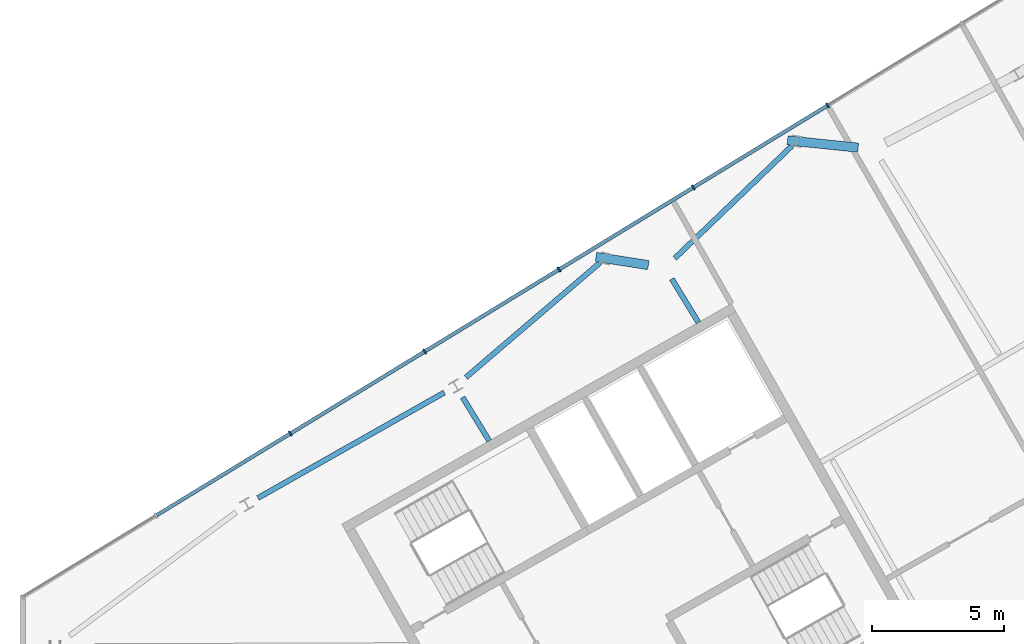
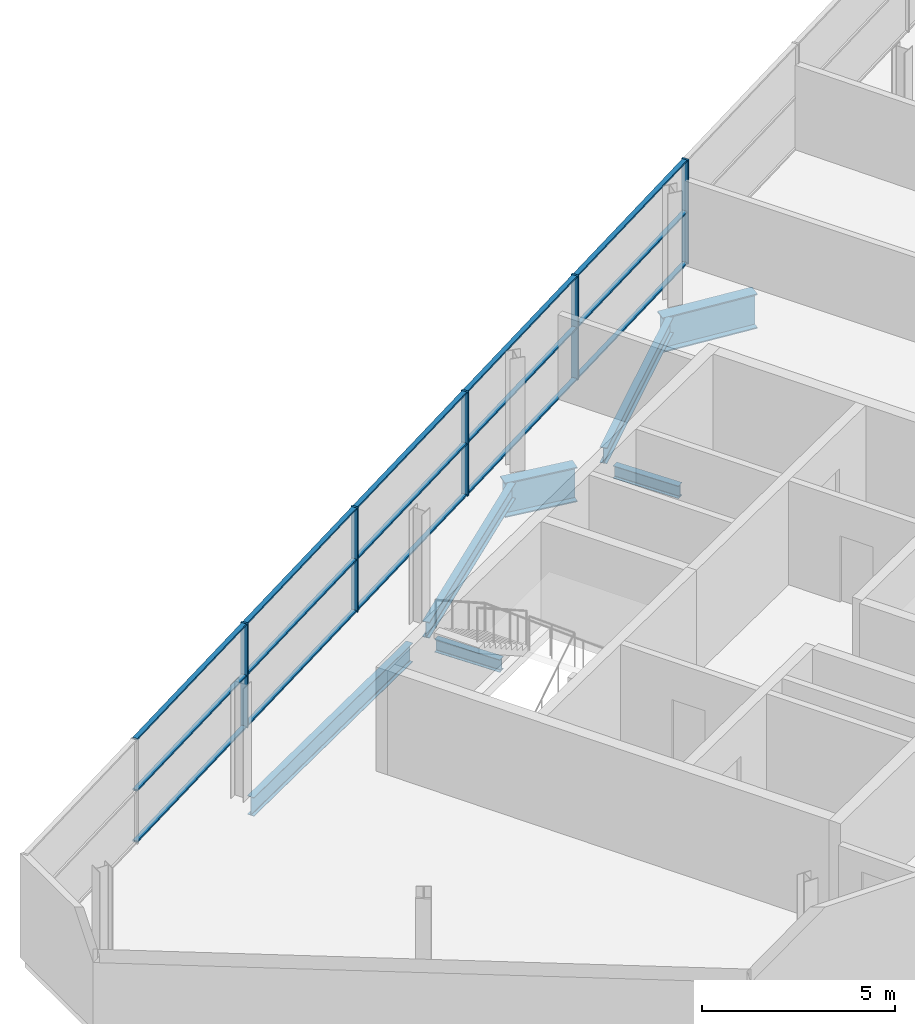
# One storey, part 4 of 10: 20 members, 7 beams, 1 element without a shape of its own.
"""IFC4 building model written with IfcOpenShell, lengths in metres."""

import ifcopenshell
import ifcopenshell.guid

model = None  # the IFC model being written
_history = None  # IfcOwnerHistory: only IFC2X3 demands one
_inside = {}  # id of a spatial element -> (the spatial element, [elements in it])
_under = {}  # id of a project, library or spatial element -> (it, [spatial elements below it])
_declared = {}  # id of a project -> (the project, [libraries it declares])
_typed = {}  # id of a type object -> (the type object, [elements of that type])
_made_of = {}  # id of a material, layer set ... -> (it, [elements and type objects made of it])


def new_model(schema):
    """Start an empty IFC model of exactly this schema.

    Asked for "IFC4X3", IfcOpenShell would pick the latest addendum, in which some entities
    have other attributes; the version numbers below select the first issue.
    IFC2X3 requires an IfcOwnerHistory on every rooted entity: one is made here for all.
    """
    global model, _history
    if schema == "IFC4X3":
        model = ifcopenshell.file(schema_version=(4, 3, 0, 0))
    else:
        model = ifcopenshell.file(schema=schema)
    _inside.clear()
    _under.clear()
    _declared.clear()
    _typed.clear()
    _made_of.clear()
    _history = None
    if model.schema == "IFC2X3":
        org = make("IfcOrganization", Name="unknown")
        user = make(
            "IfcPersonAndOrganization",
            ThePerson=make("IfcPerson", FamilyName="unknown"),
            TheOrganization=org,
        )
        app = make(
            "IfcApplication",
            ApplicationDeveloper=org,
            Version="unknown",
            ApplicationFullName="unknown",
            ApplicationIdentifier="unknown",
        )
        _history = make(
            "IfcOwnerHistory",
            OwningUser=user,
            OwningApplication=app,
            ChangeAction="ADDED",
            CreationDate=0,
        )
    return model


def make(cls, **values):
    """One entity of the class cls with the attributes given. An attribute that is None is left unset."""
    return model.create_entity(
        cls, **{name: value for name, value in values.items() if value is not None}
    )


def rooted(cls, **values):
    """An entity with a GlobalId (a new one), such as an element, a storey or a relation."""
    return make(cls, GlobalId=ifcopenshell.guid.new(), OwnerHistory=_history, **values)


def si_unit(unit_type, name, prefix=None):
    """IfcSIUnit, for example si_unit("LENGTHUNIT", "METRE", prefix="MILLI")."""
    return make("IfcSIUnit", UnitType=unit_type, Prefix=prefix, Name=name)


def assignment(units):
    """IfcUnitAssignment: the units of a project."""
    return None if units is None else make("IfcUnitAssignment", Units=units)


def point(xyz):
    """IfcCartesianPoint."""
    return None if xyz is None else make("IfcCartesianPoint", Coordinates=xyz)


def direction(xyz):
    """IfcDirection."""
    return None if xyz is None else make("IfcDirection", DirectionRatios=xyz)


def frame(location, z_axis=None, x_axis=None):
    """IfcAxis2Placement3D, a coordinate frame: its origin and axes. An axis left out is left unset."""
    return make(
        "IfcAxis2Placement3D",
        Location=point(location),
        Axis=direction(z_axis),
        RefDirection=direction(x_axis),
    )


def frame_2d(location, x_axis=None):
    """IfcAxis2Placement2D, a coordinate frame in the plane: its origin and x axis."""
    return make(
        "IfcAxis2Placement2D", Location=point(location), RefDirection=direction(x_axis)
    )


def origin():
    """The frame at (0, 0, 0) with its axes left unset."""
    return frame((0.0, 0.0, 0.0))


def origin_2d():
    """The frame at (0, 0) in the plane with its x axis left unset."""
    return frame_2d((0.0, 0.0))


def place(relative_to, where):
    """IfcLocalPlacement: puts the frame where relative to a parent placement (None: the world)."""
    return make(
        "IfcLocalPlacement", PlacementRelTo=relative_to, RelativePlacement=where
    )


def context(
    kind, dimensions, precision=None, world=None, true_north=None, identifier=None
):
    """IfcGeometricRepresentationContext, for example the 3D "Model" context."""
    return make(
        "IfcGeometricRepresentationContext",
        ContextIdentifier=identifier,
        ContextType=kind,
        CoordinateSpaceDimension=dimensions,
        Precision=precision,
        WorldCoordinateSystem=world,
        TrueNorth=true_north,
    )


def subcontext(parent, identifier, kind, view, scale=None):
    """IfcGeometricRepresentationSubContext, for example "Body" below "Model"."""
    return make(
        "IfcGeometricRepresentationSubContext",
        ContextIdentifier=identifier,
        ContextType=kind,
        ParentContext=parent,
        TargetScale=scale,
        TargetView=view,
    )


def project(units=None, contexts=None):
    """IfcProject with its units and contexts."""
    return rooted(
        "IfcProject",
        Name="project",
        RepresentationContexts=contexts,
        UnitsInContext=assignment(units),
    )


def spatial(cls, under=None, at=None, **own):
    """A site, building, storey or space (cls), placed at a placement, below another one or the project."""
    s = rooted(cls, ObjectPlacement=at, **own)
    if under is not None:
        _under.setdefault(under.id(), (under, []))[1].append(s)
    return s


def profile(cls, at=None, kind="AREA", **sizes):
    """A parametric profile (cls). Its sizes go by their IFC names, for example OverallWidth=200.0."""
    return make(cls, ProfileType=kind, Position=at, **sizes)


def rectangle(**sizes):
    """IfcRectangleProfileDef."""
    return profile("IfcRectangleProfileDef", **sizes)


def i_section(**sizes):
    """IfcIShapeProfileDef."""
    return profile("IfcIShapeProfileDef", **sizes)


def extrude(swept, where, along, depth):
    """IfcExtrudedAreaSolid: the profile swept, set in the frame where, extruded along a direction by depth."""
    return make(
        "IfcExtrudedAreaSolid",
        SweptArea=swept,
        Position=where,
        ExtrudedDirection=direction(along),
        Depth=depth,
    )


def shape(context_of_items, identifier, shape_type, items):
    """IfcShapeRepresentation: the items that make up one representation, for example the "Body"."""
    return make(
        "IfcShapeRepresentation",
        ContextOfItems=context_of_items,
        RepresentationIdentifier=identifier,
        RepresentationType=shape_type,
        Items=items,
    )


def material(Name=None, Category=None):
    """IfcMaterial."""
    return make("IfcMaterial", Name=Name, Category=Category)


def material_profile(
    of_material, cross_section, Name=None, Category=None, Priority=None
):
    """IfcMaterialProfile: a cross section and its material."""
    return make(
        "IfcMaterialProfile",
        Name=Name,
        Material=of_material,
        Profile=cross_section,
        Priority=Priority,
        Category=Category,
    )


def profile_set(profiles, Name=None, composite=None):
    """IfcMaterialProfileSet."""
    return make(
        "IfcMaterialProfileSet",
        Name=Name,
        MaterialProfiles=profiles,
        CompositeProfile=composite,
    )


def made_of(thing, what):
    """Note that an element or type object is made of a material, layer set ...; save() writes the relation."""
    if what is not None:
        _made_of.setdefault(what.id(), (what, []))[1].append(thing)
    return thing


def type_object(cls, material=None, **own):
    """A type object (cls), such as IfcWallType, which elements share."""
    return made_of(rooted(cls, **own), material)


def element(
    cls,
    number,
    at=None,
    inside=None,
    cuts=None,
    type_object=None,
    material=None,
    context=None,
    identifier="Body",
    shape_type=None,
    held_by="IfcProductDefinitionShape",
    body=None,
    shapes=None,
    **own,
):
    """One element of the class cls, such as IfcWall. Its Tag is "e" and its number.

    at: its placement. inside: the storey or other place that contains it. cuts: it is an
    opening in that element (IfcRelVoidsElement). A single representation is given by context,
    identifier, shape_type and body (its items); several are given by shapes. held_by: the class
    of the entity that holds the representations. save() writes the other relations.
    """
    e = rooted(cls, Tag="e%d" % number, ObjectPlacement=at, **own)
    if body is not None:
        shapes = [shape(context, identifier, shape_type, body)]
    if shapes is not None:
        e.Representation = make(held_by, Representations=shapes)
    if inside is not None:
        _inside.setdefault(inside.id(), (inside, []))[1].append(e)
    if cuts is not None:
        rooted(
            "IfcRelVoidsElement", RelatingBuildingElement=cuts, RelatedOpeningElement=e
        )
    if type_object is not None:
        _typed.setdefault(type_object.id(), (type_object, []))[1].append(e)
    return made_of(e, material)


def aggregate(whole, parts):
    """IfcRelAggregates: a whole, such as a stair, and the parts it consists of."""
    return rooted("IfcRelAggregates", RelatingObject=whole, RelatedObjects=parts)


def save(model, path):
    """Write the relations noted so far, then the file.

    IfcRelAggregates (storeys below a building ...), IfcRelContainedInSpatialStructure (elements
    in a storey), IfcRelDefinesByType, IfcRelAssociatesMaterial and IfcRelDeclares: one each for
    every whole, place, type object, material and project.
    """
    for whole, parts in _under.values():
        aggregate(whole, parts)
    for where, things in _inside.values():
        rooted(
            "IfcRelContainedInSpatialStructure",
            RelatedElements=things,
            RelatingStructure=where,
        )
    for kind, things in _typed.values():
        rooted("IfcRelDefinesByType", RelatedObjects=things, RelatingType=kind)
    for what, things in _made_of.values():
        rooted("IfcRelAssociatesMaterial", RelatedObjects=things, RelatingMaterial=what)
    for by, libraries in _declared.values():
        rooted("IfcRelDeclares", RelatingContext=by, RelatedDefinitions=libraries)
    model.write(path)


model = new_model("IFC4")

# Units and contexts
model_context = context("Model", 3, precision=1e-05, world=origin(), true_north=direction((0.0, 1.0)))
body_context = subcontext(model_context, "Body", "Model", "MODEL_VIEW")
ifc_project = project(units=[si_unit("LENGTHUNIT", "METRE"), si_unit("AREAUNIT", "SQUARE_METRE"), si_unit("VOLUMEUNIT", "CUBIC_METRE"), si_unit("PLANEANGLEUNIT", "RADIAN"), si_unit("MASSUNIT", "GRAM", prefix="KILO")], contexts=[model_context])

# Site, building, storey
site_placement = place(None, origin())
site = spatial("IfcSite", under=ifc_project, at=site_placement, CompositionType="ELEMENT")
building_placement = place(site_placement, origin())
building = spatial("IfcBuilding", under=site, at=building_placement, Name="Binnacle Exchange Tower", CompositionType="ELEMENT")
storey_placement = place(building_placement, frame((0.0, 0.0, 346.89990234375)))
storey = spatial("IfcBuildingStorey", under=building, at=storey_placement, Name="L79", CompositionType="ELEMENT", Elevation=346.89990234375)

# Curtain wall, members
ifc_material_1 = material(Name="Bronze anodised aluminium frame", Category="aluminium")
curtain_wall_type = type_object("IfcCurtainWallType", Name="External wall - curtain wall crown tiers", PredefinedType="NOTDEFINED", material=ifc_material_1)
curtain_wall_placement = place(storey_placement, origin())
curtain_wall = element("IfcCurtainWall", 1, at=curtain_wall_placement, inside=storey, type_object=curtain_wall_type, Name="External wall curtain wall CW5-C103 L79", PredefinedType="NOTDEFINED")
ifc_material_profile_1 = material_profile(ifc_material_1, rectangle(XDim=0.199951171875, YDim=0.06005859375, at=origin_2d()), Name="AL 60x200")
ifc_profile_set_1 = profile_set([ifc_material_profile_1], Name="Bronze anodised aluminium frame")
member_type_1 = type_object("IfcMemberType", Name="CW5 MULLION 60x200", PredefinedType="MULLION", material=ifc_profile_set_1)
member_1_placement = place(storey_placement, frame((-28.15478515625, 57.57666015625, 0.0), z_axis=(0.0, 0.0, 1.0), x_axis=(0.521156922554, -0.853460873194, 0.0)))
member_1 = element("IfcMember", 2, at=member_1_placement, type_object=member_type_1, Name="CW5-C103 mullion 5", PredefinedType="MULLION", context=body_context, shape_type="SweptSolid", body=[
    extrude(rectangle(XDim=0.199951171875, YDim=0.06005859375, at=origin_2d()), origin(), (0.0, 0.0, 1.0), 3.300048828125),
])
member_2_placement = place(storey_placement, frame((-33.25634765625, 54.46142578125, 0.0), z_axis=(0.0, 0.0, 1.0), x_axis=(0.521156922554, -0.853460873194, 0.0)))
member_2 = element("IfcMember", 3, at=member_2_placement, type_object=member_type_1, Name="CW5-C103 mullion 6", PredefinedType="MULLION", context=body_context, shape_type="SweptSolid", body=[
    extrude(rectangle(XDim=0.199951171875, YDim=0.06005859375, at=origin_2d()), origin(), (0.0, 0.0, 1.0), 3.300048828125),
])
member_3_placement = place(storey_placement, frame((-38.35791015625, 51.34619140625, 0.0), z_axis=(0.0, 0.0, 1.0), x_axis=(0.521156922554, -0.853460873194, 0.0)))
member_3 = element("IfcMember", 4, at=member_3_placement, type_object=member_type_1, Name="CW5-C103 mullion 7", PredefinedType="MULLION", context=body_context, shape_type="SweptSolid", body=[
    extrude(rectangle(XDim=0.199951171875, YDim=0.06005859375, at=origin_2d()), origin(), (0.0, 0.0, 1.0), 3.300048828125),
])
member_4_placement = place(storey_placement, frame((-43.45947265625, 48.23095703125, 0.0), z_axis=(0.0, 0.0, 1.0), x_axis=(0.521156922554, -0.853460873194, 0.0)))
member_4 = element("IfcMember", 5, at=member_4_placement, type_object=member_type_1, Name="CW5-C103 mullion 8", PredefinedType="MULLION", context=body_context, shape_type="SweptSolid", body=[
    extrude(rectangle(XDim=0.199951171875, YDim=0.06005859375, at=origin_2d()), origin(), (0.0, 0.0, 1.0), 3.300048828125),
])
member_5_placement = place(storey_placement, frame((-48.56103515625, 45.11572265625, 0.0), z_axis=(0.0, 0.0, 1.0), x_axis=(0.521156922554, -0.853460873194, 0.0)))
member_5 = element("IfcMember", 6, at=member_5_placement, type_object=member_type_1, Name="CW5-C103 mullion 9", PredefinedType="MULLION", context=body_context, shape_type="SweptSolid", body=[
    extrude(rectangle(XDim=0.199951171875, YDim=0.06005859375, at=origin_2d()), origin(), (0.0, 0.0, 1.0), 3.300048828125),
])
ifc_material_profile_2 = material_profile(ifc_material_1, rectangle(XDim=0.139892578125, YDim=0.050048828125, at=origin_2d()), Name="AL 140x50")
ifc_profile_set_2 = profile_set([ifc_material_profile_2], Name="Bronze anodised aluminium frame")
member_type_2 = type_object("IfcMemberType", Name="CW5 TRANSOM 50x140", PredefinedType="USERDEFINED", material=ifc_profile_set_2)
member_6_placement = place(storey_placement, frame((-28.180419921875, 57.56103515625, 0.025146484375), z_axis=(-0.853455161213, -0.521166276537, 0.0), x_axis=(0.521166276537, -0.853455161213, 0.0)))
member_6 = element("IfcMember", 7, at=member_6_placement, type_object=member_type_2, Name="CW5-C103 transom 5.1", ObjectType="TRANSOM", PredefinedType="USERDEFINED", context=body_context, shape_type="SweptSolid", body=[
    extrude(rectangle(XDim=0.139892578125, YDim=0.050048828125, at=origin_2d()), origin(), (0.0, 0.0, 1.0), 5.91748046875),
])
member_7_placement = place(storey_placement, frame((-28.180419921875, 57.56103515625, 1.650146484375), z_axis=(-0.853455161213, -0.521166276537, 0.0), x_axis=(0.521166276537, -0.853455161213, 0.0)))
member_7 = element("IfcMember", 8, at=member_7_placement, type_object=member_type_2, Name="CW5-C103 transom 5.2", ObjectType="TRANSOM", PredefinedType="USERDEFINED", context=body_context, shape_type="SweptSolid", body=[
    extrude(rectangle(XDim=0.139892578125, YDim=0.050048828125, at=origin_2d()), origin(), (0.0, 0.0, 1.0), 5.91748046875),
])
member_8_placement = place(storey_placement, frame((-28.180419921875, 57.56103515625, 3.275146484375), z_axis=(-0.853455161213, -0.521166276537, 0.0), x_axis=(0.521166276537, -0.853455161213, 0.0)))
member_8 = element("IfcMember", 9, at=member_8_placement, type_object=member_type_2, Name="CW5-C103 transom 5.3", ObjectType="TRANSOM", PredefinedType="USERDEFINED", context=body_context, shape_type="SweptSolid", body=[
    extrude(rectangle(XDim=0.139892578125, YDim=0.050048828125, at=origin_2d()), origin(), (0.0, 0.0, 1.0), 5.91748046875),
])
member_9_placement = place(storey_placement, frame((-33.281982421875, 54.44580078125, 0.025146484375), z_axis=(-0.853455161213, -0.521166276537, 0.0), x_axis=(0.521166276537, -0.853455161213, 0.0)))
member_9 = element("IfcMember", 10, at=member_9_placement, type_object=member_type_2, Name="CW5-C103 transom 6.1", ObjectType="TRANSOM", PredefinedType="USERDEFINED", context=body_context, shape_type="SweptSolid", body=[
    extrude(rectangle(XDim=0.139892578125, YDim=0.050048828125, at=origin_2d()), origin(), (0.0, 0.0, 1.0), 5.91748046875),
])
member_10_placement = place(storey_placement, frame((-33.281982421875, 54.44580078125, 1.650146484375), z_axis=(-0.853455161213, -0.521166276537, 0.0), x_axis=(0.521166276537, -0.853455161213, 0.0)))
member_10 = element("IfcMember", 11, at=member_10_placement, type_object=member_type_2, Name="CW5-C103 transom 6.2", ObjectType="TRANSOM", PredefinedType="USERDEFINED", context=body_context, shape_type="SweptSolid", body=[
    extrude(rectangle(XDim=0.139892578125, YDim=0.050048828125, at=origin_2d()), origin(), (0.0, 0.0, 1.0), 5.91748046875),
])
member_11_placement = place(storey_placement, frame((-33.281982421875, 54.44580078125, 3.275146484375), z_axis=(-0.853455161213, -0.521166276537, 0.0), x_axis=(0.521166276537, -0.853455161213, 0.0)))
member_11 = element("IfcMember", 12, at=member_11_placement, type_object=member_type_2, Name="CW5-C103 transom 6.3", ObjectType="TRANSOM", PredefinedType="USERDEFINED", context=body_context, shape_type="SweptSolid", body=[
    extrude(rectangle(XDim=0.139892578125, YDim=0.050048828125, at=origin_2d()), origin(), (0.0, 0.0, 1.0), 5.91748046875),
])
member_12_placement = place(storey_placement, frame((-38.383544921875, 51.33056640625, 0.025146484375), z_axis=(-0.853455161213, -0.521166276537, 0.0), x_axis=(0.521166276537, -0.853455161213, 0.0)))
member_12 = element("IfcMember", 13, at=member_12_placement, type_object=member_type_2, Name="CW5-C103 transom 7.1", ObjectType="TRANSOM", PredefinedType="USERDEFINED", context=body_context, shape_type="SweptSolid", body=[
    extrude(rectangle(XDim=0.139892578125, YDim=0.050048828125, at=origin_2d()), origin(), (0.0, 0.0, 1.0), 5.91748046875),
])
member_13_placement = place(storey_placement, frame((-38.383544921875, 51.33056640625, 1.650146484375), z_axis=(-0.853455161213, -0.521166276537, 0.0), x_axis=(0.521166276537, -0.853455161213, 0.0)))
member_13 = element("IfcMember", 14, at=member_13_placement, type_object=member_type_2, Name="CW5-C103 transom 7.2", ObjectType="TRANSOM", PredefinedType="USERDEFINED", context=body_context, shape_type="SweptSolid", body=[
    extrude(rectangle(XDim=0.139892578125, YDim=0.050048828125, at=origin_2d()), origin(), (0.0, 0.0, 1.0), 5.91748046875),
])
member_14_placement = place(storey_placement, frame((-38.383544921875, 51.33056640625, 3.275146484375), z_axis=(-0.853455161213, -0.521166276537, 0.0), x_axis=(0.521166276537, -0.853455161213, 0.0)))
member_14 = element("IfcMember", 15, at=member_14_placement, type_object=member_type_2, Name="CW5-C103 transom 7.3", ObjectType="TRANSOM", PredefinedType="USERDEFINED", context=body_context, shape_type="SweptSolid", body=[
    extrude(rectangle(XDim=0.139892578125, YDim=0.050048828125, at=origin_2d()), origin(), (0.0, 0.0, 1.0), 5.91748046875),
])
member_15_placement = place(storey_placement, frame((-43.485107421875, 48.21533203125, 0.025146484375), z_axis=(-0.853455161213, -0.521166276537, 0.0), x_axis=(0.521166276537, -0.853455161213, 0.0)))
member_15 = element("IfcMember", 16, at=member_15_placement, type_object=member_type_2, Name="CW5-C103 transom 8.1", ObjectType="TRANSOM", PredefinedType="USERDEFINED", context=body_context, shape_type="SweptSolid", body=[
    extrude(rectangle(XDim=0.139892578125, YDim=0.050048828125, at=origin_2d()), origin(), (0.0, 0.0, 1.0), 5.91748046875),
])
member_16_placement = place(storey_placement, frame((-43.485107421875, 48.21533203125, 1.650146484375), z_axis=(-0.853455161213, -0.521166276537, 0.0), x_axis=(0.521166276537, -0.853455161213, 0.0)))
member_16 = element("IfcMember", 17, at=member_16_placement, type_object=member_type_2, Name="CW5-C103 transom 8.2", ObjectType="TRANSOM", PredefinedType="USERDEFINED", context=body_context, shape_type="SweptSolid", body=[
    extrude(rectangle(XDim=0.139892578125, YDim=0.050048828125, at=origin_2d()), origin(), (0.0, 0.0, 1.0), 5.91748046875),
])
member_17_placement = place(storey_placement, frame((-43.485107421875, 48.21533203125, 3.275146484375), z_axis=(-0.853455161213, -0.521166276537, 0.0), x_axis=(0.521166276537, -0.853455161213, 0.0)))
member_17 = element("IfcMember", 18, at=member_17_placement, type_object=member_type_2, Name="CW5-C103 transom 8.3", ObjectType="TRANSOM", PredefinedType="USERDEFINED", context=body_context, shape_type="SweptSolid", body=[
    extrude(rectangle(XDim=0.139892578125, YDim=0.050048828125, at=origin_2d()), origin(), (0.0, 0.0, 1.0), 5.91748046875),
])
member_18_placement = place(storey_placement, frame((-48.586669921875, 45.10009765625, 0.025146484375), z_axis=(-0.853455161213, -0.521166276537, 0.0), x_axis=(0.521166276537, -0.853455161213, 0.0)))
member_18 = element("IfcMember", 19, at=member_18_placement, type_object=member_type_2, Name="CW5-C103 transom 9.1", ObjectType="TRANSOM", PredefinedType="USERDEFINED", context=body_context, shape_type="SweptSolid", body=[
    extrude(rectangle(XDim=0.139892578125, YDim=0.050048828125, at=origin_2d()), origin(), (0.0, 0.0, 1.0), 5.91748046875),
])
member_19_placement = place(storey_placement, frame((-48.586669921875, 45.10009765625, 1.650146484375), z_axis=(-0.853455161213, -0.521166276537, 0.0), x_axis=(0.521166276537, -0.853455161213, 0.0)))
member_19 = element("IfcMember", 20, at=member_19_placement, type_object=member_type_2, Name="CW5-C103 transom 9.2", ObjectType="TRANSOM", PredefinedType="USERDEFINED", context=body_context, shape_type="SweptSolid", body=[
    extrude(rectangle(XDim=0.139892578125, YDim=0.050048828125, at=origin_2d()), origin(), (0.0, 0.0, 1.0), 5.91748046875),
])
member_20_placement = place(storey_placement, frame((-48.586669921875, 45.10009765625, 3.275146484375), z_axis=(-0.853455161213, -0.521166276537, 0.0), x_axis=(0.521166276537, -0.853455161213, 0.0)))
member_20 = element("IfcMember", 21, at=member_20_placement, type_object=member_type_2, Name="CW5-C103 transom 9.3", ObjectType="TRANSOM", PredefinedType="USERDEFINED", context=body_context, shape_type="SweptSolid", body=[
    extrude(rectangle(XDim=0.139892578125, YDim=0.050048828125, at=origin_2d()), origin(), (0.0, 0.0, 1.0), 5.91748046875),
])
aggregate(curtain_wall, [member_1, member_2, member_3, member_4, member_5, member_6, member_7, member_8, member_9, member_10, member_11, member_12, member_13, member_14, member_15, member_16, member_17, member_18, member_19, member_20])

# Beams
ifc_material_2 = material(Name="Steel S355 (SHN355)", Category="steel")
ifc_material_profile_3 = material_profile(ifc_material_2, i_section(OverallWidth=0.199951171875, OverallDepth=0.5, WebThickness=0.010009765625, FlangeThickness=0.01611328125, FilletRadius=0.02001953125, at=origin_2d()), Name="H 500x200x10x16")
ifc_profile_set_3 = profile_set([ifc_material_profile_3], Name="Steel S355 (SHN355)")
beam_type_1 = type_object("IfcBeamType", Name="Edge girder H 500x200x10x16 Steel S355 (SHN355)", PredefinedType="SPANDREL", material=ifc_profile_set_3)
beam_1_placement = place(storey_placement, frame((-33.96142578125, 51.771484375, -0.5498046875), z_axis=(0.721606478841, 0.692303466476, 0.0), x_axis=(-0.692303466476, 0.721606478841, 0.0)))
element("IfcBeam", 22, at=beam_1_placement, inside=storey, type_object=beam_type_1, Name="S:BM:edge:L79:016", PredefinedType="SPANDREL", context=body_context, shape_type="SweptSolid", body=[
    extrude(i_section(OverallWidth=0.199951171875, OverallDepth=0.5, WebThickness=0.010009765625, FlangeThickness=0.01611328125, FilletRadius=0.02001953125, at=origin_2d()), origin(), (0.0, 0.0, 1.0), 6.165283203125),
])
ifc_material_profile_4 = material_profile(ifc_material_2, i_section(OverallWidth=0.200927734375, OverallDepth=0.506103515625, WebThickness=0.010986328125, FlangeThickness=0.01904296875, FilletRadius=0.02001953125, at=origin_2d()), Name="H 506x201x11x19")
ifc_profile_set_4 = profile_set([ifc_material_profile_4], Name="Steel S355 (SHN355)")
beam_type_2 = type_object("IfcBeamType", Name="Edge girder H 506x201x11x19 Steel S355 (SHN355)", PredefinedType="SPANDREL", material=ifc_profile_set_4)
beam_2_placement = place(storey_placement, frame((-41.892822265625, 47.249755859375, -0.552978515625), z_axis=(0.759911815875, 0.650026178006, 0.0), x_axis=(-0.650026178006, 0.759911815875, 0.0)))
element("IfcBeam", 23, at=beam_2_placement, inside=storey, type_object=beam_type_2, Name="S:BM:edge:L79:015", PredefinedType="SPANDREL", context=body_context, shape_type="SweptSolid", body=[
    extrude(i_section(OverallWidth=0.200927734375, OverallDepth=0.506103515625, WebThickness=0.010986328125, FlangeThickness=0.01904296875, FilletRadius=0.02001953125, at=origin_2d()), origin(), (0.0, 0.0, 1.0), 6.703125),
])
ifc_material_profile_5 = material_profile(ifc_material_2, i_section(OverallWidth=0.199951171875, OverallDepth=0.60009765625, WebThickness=0.010986328125, FlangeThickness=0.01708984375, FilletRadius=0.02197265625, at=origin_2d()), Name="H 600x200x11x17")
ifc_profile_set_5 = profile_set([ifc_material_profile_5], Name="Steel S355 (SHN355)")
beam_type_3 = type_object("IfcBeamType", Name="Edge girder H 600x200x11x17 Steel S355 (SHN355)", PredefinedType="SPANDREL", material=ifc_profile_set_5)
beam_3_placement = place(storey_placement, frame((-49.791015625, 42.669189453125, -0.599853515625), z_axis=(0.870353024448, 0.49242828192, 0.0), x_axis=(-0.49242828192, 0.870353024448, 0.0)))
element("IfcBeam", 24, at=beam_3_placement, inside=storey, type_object=beam_type_3, Name="S:BM:edge:L79:013", PredefinedType="SPANDREL", context=body_context, shape_type="SweptSolid", body=[
    extrude(i_section(OverallWidth=0.199951171875, OverallDepth=0.60009765625, WebThickness=0.010986328125, FlangeThickness=0.01708984375, FilletRadius=0.02197265625, at=origin_2d()), origin(), (0.0, 0.0, 1.0), 8.1298828125),
])
ifc_material_profile_6 = material_profile(ifc_material_2, i_section(OverallWidth=0.199951171875, OverallDepth=0.39990234375, WebThickness=0.008056640625, FlangeThickness=0.012939453125, FilletRadius=0.01611328125, at=origin_2d()), Name="H 400x200x8x13")
ifc_profile_set_6 = profile_set([ifc_material_profile_6], Name="Steel S355 (SHN355)")
beam_type_4 = type_object("IfcBeamType", Name="Floor beam H 400x200x8x13 Steel S355 (SHN355)", PredefinedType="BEAM", material=ifc_profile_set_6)
for number, where, z_axis, x_axis, name in (
    (25, (-42.019287109375, 46.49169921875, -0.5), (0.521250990413, -0.853403424526, 0.0), (0.853403424526, 0.521250990413, 0.0), "S:BM:cross:L79:024"),
    (26, (-34.072998046875, 50.9873046875, -0.5), (0.521159106776, -0.853459539419, 0.0), (0.853459539419, 0.521159106776, 0.0), "S:BM:cross:L79:026"),
):
    element("IfcBeam", number, at=place(storey_placement, frame(where, z_axis=z_axis, x_axis=x_axis)), inside=storey, type_object=beam_type_4, Name=name, PredefinedType="BEAM", context=body_context, shape_type="SweptSolid", body=[
        extrude(i_section(OverallWidth=0.199951171875, OverallDepth=0.39990234375, WebThickness=0.008056640625, FlangeThickness=0.012939453125, FilletRadius=0.01611328125, at=origin_2d()), origin(), (0.0, 0.0, 1.0), 1.935302734375),
    ])
ifc_material_3 = material(Name="Steel S355 (SM355)", Category="steel")
ifc_material_profile_7 = material_profile(ifc_material_3, i_section(OverallWidth=0.35009765625, OverallDepth=1.10009765625, WebThickness=0.02001953125, FlangeThickness=0.035888671875, at=origin_2d()), Name="BH 1100x350x20x36")
ifc_profile_set_7 = profile_set([ifc_material_profile_7], Name="Steel S355 (SM355)")
beam_type_5 = type_object("IfcBeamType", Name="Transfer girder BH 1100x350x20x36 Steel S355 (SM355)", PredefinedType="BEAM", material=ifc_profile_set_7)
beam_4_placement = place(storey_placement, frame((-34.964111328125, 51.512939453125, -0.849853515625), z_axis=(-0.988007411834, 0.154406457639, 0.0), x_axis=(-0.154406457639, -0.988007411834, 0.0)))
element("IfcBeam", 27, at=beam_4_placement, inside=storey, type_object=beam_type_5, Name="S:BM:transfer:L79:001", PredefinedType="BEAM", context=body_context, shape_type="SweptSolid", body=[
    extrude(i_section(OverallWidth=0.35009765625, OverallDepth=1.10009765625, WebThickness=0.02001953125, FlangeThickness=0.035888671875, at=origin_2d()), origin(), (0.0, 0.0, 1.0), 2.014404296875),
])
beam_5_placement = place(storey_placement, frame((-26.997802734375, 55.97314453125, -0.849853515625), z_axis=(-0.994710957448, 0.102713733905, 0.0), x_axis=(-0.102713733905, -0.994710957448, 0.0)))
element("IfcBeam", 28, at=beam_5_placement, inside=storey, type_object=beam_type_5, Name="S:BM:transfer:L79:002", PredefinedType="BEAM", context=body_context, shape_type="SweptSolid", body=[
    extrude(i_section(OverallWidth=0.35009765625, OverallDepth=1.10009765625, WebThickness=0.02001953125, FlangeThickness=0.035888671875, at=origin_2d()), origin(), (0.0, 0.0, 1.0), 2.6953125),
])

save(model, "model.ifc")
